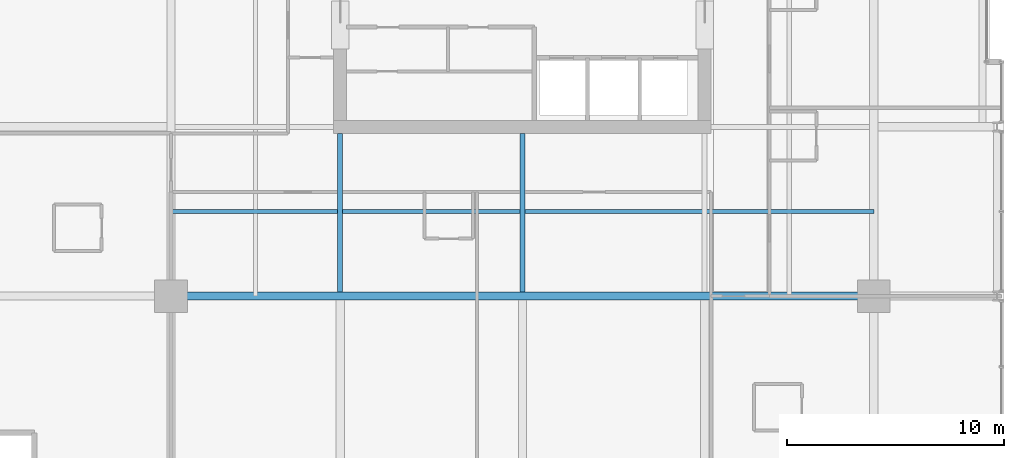
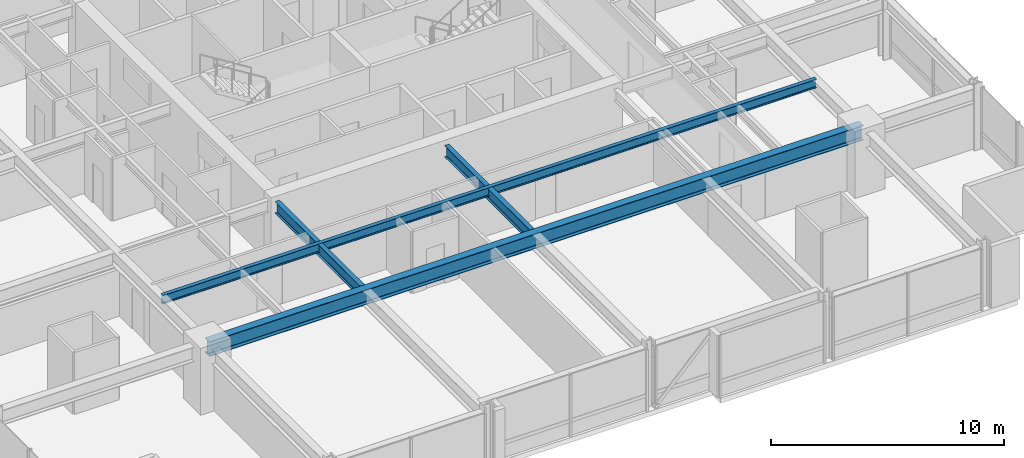
# One storey, part 6 of 34: 4 beams.
"""IFC4 building model written with IfcOpenShell, lengths in metres."""

from ifc_helpers import new_model, si_unit, direction, frame, origin, origin_2d, place, context, subcontext, project, spatial, i_section, extrude, material, material_profile, profile_set, type_object, element, save


model = new_model("IFC4")

# Units and contexts
model_context = context("Model", 3, precision=1e-05, world=origin(), true_north=direction((0.0, 1.0)))
body_context = subcontext(model_context, "Body", "Model", "MODEL_VIEW")
ifc_project = project(units=[si_unit("LENGTHUNIT", "METRE"), si_unit("AREAUNIT", "SQUARE_METRE"), si_unit("VOLUMEUNIT", "CUBIC_METRE"), si_unit("PLANEANGLEUNIT", "RADIAN"), si_unit("MASSUNIT", "GRAM", prefix="KILO")], contexts=[model_context])

# Site, building, storey
site_placement = place(None, origin())
site = spatial("IfcSite", under=ifc_project, at=site_placement, CompositionType="ELEMENT")
building_placement = place(site_placement, origin())
building = spatial("IfcBuilding", under=site, at=building_placement, Name="Drelvath Grand Hotel", CompositionType="ELEMENT")
storey_placement = place(building_placement, frame((0.0, 0.0, 109.300048828125)))
storey = spatial("IfcBuildingStorey", under=building, at=storey_placement, Name="L27", CompositionType="ELEMENT", Elevation=109.300048828125)

# Beams
ifc_material = material(Name="Steel ASTM A992 Gr 50", Category="steel")
ifc_material_profile_1 = material_profile(ifc_material, i_section(OverallWidth=0.19140625, OverallDepth=0.4599609375, WebThickness=0.010009765625, FlangeThickness=0.01611328125, FilletRadius=0.01611328125, at=origin_2d()), Name="W18X55")
ifc_profile_set_1 = profile_set([ifc_material_profile_1], Name="Steel ASTM A992 Gr 50")
beam_type_1 = type_object("IfcBeamType", Name="Composite Floor Joist W18X55", PredefinedType="JOIST", material=ifc_profile_set_1)
beam_1_placement = place(storey_placement, frame((-16.199951171875, 14.699951171875, 3.010009765625), z_axis=(1.0, 0.0, 0.0), x_axis=(0.0, 1.0, 0.0)))
element("IfcBeam", 1, at=beam_1_placement, inside=storey, type_object=beam_type_1, Name="L27 Floor Joist J1", PredefinedType="JOIST", context=body_context, shape_type="SweptSolid", body=[
    extrude(i_section(OverallWidth=0.19140625, OverallDepth=0.4599609375, WebThickness=0.010009765625, FlangeThickness=0.01611328125, FilletRadius=0.01611328125, at=origin_2d()), origin(), (0.0, 0.0, 1.0), 32.39990234375),
])
ifc_material_profile_2 = material_profile(ifc_material, i_section(OverallWidth=0.228271484375, OverallDepth=0.607666015625, WebThickness=0.01123046875, FlangeThickness=0.017333984375, FilletRadius=0.02001953125, at=origin_2d()), Name="W24X76")
ifc_profile_set_2 = profile_set([ifc_material_profile_2], Name="Steel ASTM A992 Gr 50")
beam_type_2 = type_object("IfcBeamType", Name="Primary Floor Girder W24X76", PredefinedType="BEAM", material=ifc_profile_set_2)
for number, where, z_axis, x_axis, name in (
    (2, (-8.39990234375, 10.990234375, 2.93603515625), (0.0, 1.0, 0.0), (-1.0, 0.0, 0.0), "L27 South Core Tie 4"),
    (3, (0.0, 10.990234375, 2.93603515625), (0.0, 1.0, 0.0), (-1.0, 0.0, 0.0), "L27 South Core Tie 5"),
):
    element("IfcBeam", number, at=place(storey_placement, frame(where, z_axis=z_axis, x_axis=x_axis)), inside=storey, type_object=beam_type_2, Name=name, PredefinedType="BEAM", context=body_context, shape_type="SweptSolid", body=[
        extrude(i_section(OverallWidth=0.228271484375, OverallDepth=0.607666015625, WebThickness=0.01123046875, FlangeThickness=0.017333984375, FilletRadius=0.02001953125, at=origin_2d()), origin(), (0.0, 0.0, 1.0), 7.309814453125),
    ])
ifc_material_profile_3 = material_profile(ifc_material, i_section(OverallWidth=0.380615234375, OverallDepth=0.773193359375, WebThickness=0.0166015625, FlangeThickness=0.027099609375, FilletRadius=0.02490234375, at=origin_2d()), Name="W30X173")
ifc_profile_set_3 = profile_set([ifc_material_profile_3], Name="Steel ASTM A992 Gr 50")
beam_type_3 = type_object("IfcBeamType", Name="Primary Floor Girder W30X173", PredefinedType="BEAM", material=ifc_profile_set_3)
beam_2_placement = place(storey_placement, frame((-16.199951171875, 10.800048828125, 2.853271484375), z_axis=(1.0, 0.0, 0.0), x_axis=(0.0, 1.0, 0.0)))
element("IfcBeam", 4, at=beam_2_placement, inside=storey, type_object=beam_type_3, Name="L27 Mega Ring Girder South", PredefinedType="BEAM", context=body_context, shape_type="SweptSolid", body=[
    extrude(i_section(OverallWidth=0.380615234375, OverallDepth=0.773193359375, WebThickness=0.0166015625, FlangeThickness=0.027099609375, FilletRadius=0.02490234375, at=origin_2d()), origin(), (0.0, 0.0, 1.0), 32.39990234375),
])

save(model, "model.ifc")
